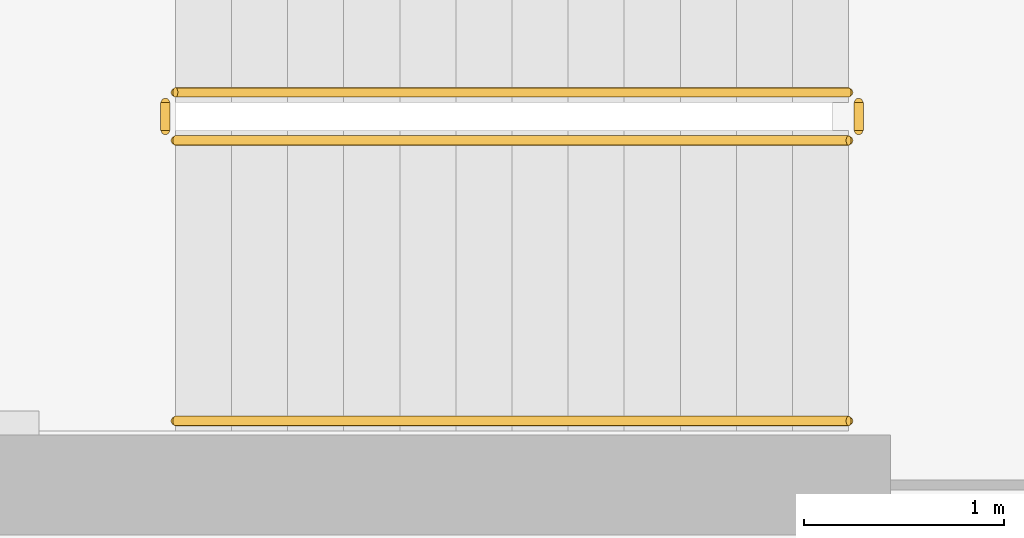
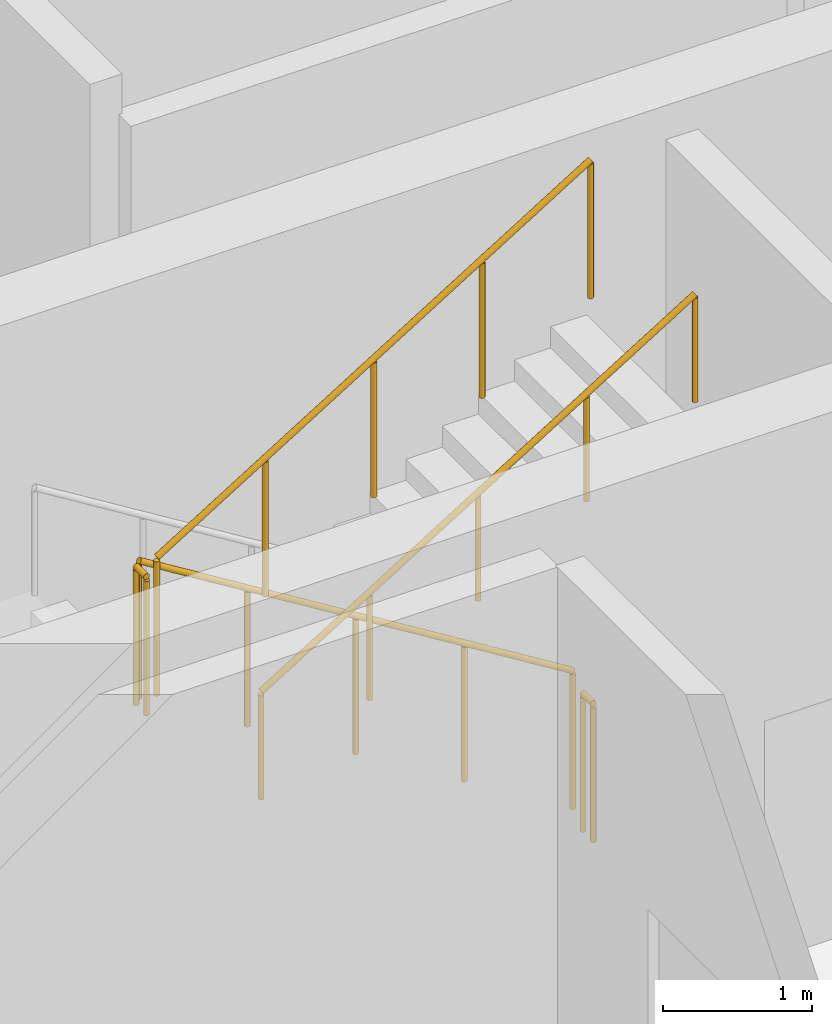
# One storey, part 15 of 18: 5 railings.
"""IFC4 building model written with IfcOpenShell, lengths in metres."""

from ifc_helpers import new_model, si_unit, derived_unit, direction, frame, origin, origin_2d, place, context, subcontext, project, spatial, circle, extrude, material, type_object, element, save


model = new_model("IFC4")

# Units and contexts
model_context = context("Model", 3, precision=1e-05, world=origin(), true_north=direction((0.0, 1.0)))
body_context = subcontext(model_context, "Body", "Model", "MODEL_VIEW")
ifc_project = project(units=[si_unit("LENGTHUNIT", "METRE"), si_unit("AREAUNIT", "SQUARE_METRE"), si_unit("VOLUMEUNIT", "CUBIC_METRE"), si_unit("PLANEANGLEUNIT", "RADIAN"), si_unit("MASSUNIT", "GRAM", prefix="KILO"), derived_unit("THERMALTRANSMITTANCEUNIT", [(si_unit("POWERUNIT", "WATT"), 1), (si_unit("LENGTHUNIT", "METRE"), -2), (si_unit("THERMODYNAMICTEMPERATUREUNIT", "KELVIN"), -1)])], contexts=[model_context])

# Site, building, storey
site_placement = place(None, origin())
site = spatial("IfcSite", under=ifc_project, at=site_placement, CompositionType="ELEMENT")
building_placement = place(site_placement, origin())
building = spatial("IfcBuilding", under=site, at=building_placement, Name="Kivonza Crest Hotel", CompositionType="ELEMENT")
storey_placement = place(building_placement, frame((0.0, 0.0, 90.5)))
storey = spatial("IfcBuildingStorey", under=building, at=storey_placement, Name="L24", CompositionType="ELEMENT", Elevation=90.5)

# Railings
ifc_material_1 = material(Name="Brushed stainless steel handrail", Category="steel")
railing_type_1 = type_object("IfcRailingType", Name="RL-HAND-900", PredefinedType="HANDRAIL", material=ifc_material_1)
railing_1_placement = place(storey_placement, frame((8.8798828125, 33.070068359375, 2.423095703125)))
element("IfcRailing", 1, at=railing_1_placement, inside=storey, type_object=railing_type_1, Name="L24 ST-T1-N stair handrail 2", PredefinedType="HANDRAIL", context=body_context, shape_type="SweptSolid", body=[
    extrude(circle(Radius=0.02392578125, at=origin_2d()), frame((0.0, 0.0, 0.8759765625), z_axis=(0.850623216509, 0.0, 0.525775754039), x_axis=(0.0, 1.0, 0.0)), (0.0, 0.0, 1.0), 3.9501953125),
    extrude(circle(Radius=0.02099609375, at=origin_2d()), origin(), (0.0, 0.0, 1.0), 0.851806640625),
    extrude(circle(Radius=0.02099609375, at=origin_2d()), frame((0.840087890625, 0.0, 0.519287109375)), (0.0, 0.0, 1.0), 0.851806640625),
    extrude(circle(Radius=0.02099609375, at=origin_2d()), frame((1.68017578125, 0.0, 1.03857421875)), (0.0, 0.0, 1.0), 0.851806640625),
    extrude(circle(Radius=0.02099609375, at=origin_2d()), frame((2.52001953125, 0.0, 1.5576171875)), (0.0, 0.0, 1.0), 0.851806640625),
    extrude(circle(Radius=0.02099609375, at=origin_2d()), frame((3.360107421875, 0.0, 2.076904296875)), (0.0, 0.0, 1.0), 0.851806640625),
])
ifc_material_2 = material(Name="Painted steel balustrade", Category="steel")
railing_type_2 = type_object("IfcRailingType", Name="RL-STAIR-1150", PredefinedType="BALUSTRADE", material=ifc_material_2)
railing_2_placement = place(storey_placement, frame((12.239990234375, 34.7099609375, 0.173095703125)))
element("IfcRailing", 2, at=railing_2_placement, inside=storey, type_object=railing_type_2, Name="L24 ST-T1-N stair guard 1", PredefinedType="BALUSTRADE", context=body_context, shape_type="SweptSolid", body=[
    extrude(circle(Radius=0.02392578125, at=origin_2d()), frame((0.0, 0.0, 1.1259765625), z_axis=(-0.850623216509, 0.0, 0.525775754039), x_axis=(0.0, -1.0, 0.0)), (0.0, 0.0, 1.0), 3.9501953125),
    extrude(circle(Radius=0.02099609375, at=origin_2d()), origin(), (0.0, 0.0, 1.0), 1.101806640625),
    extrude(circle(Radius=0.02099609375, at=origin_2d()), frame((-0.840087890625, 0.0, 0.519287109375)), (0.0, 0.0, 1.0), 1.101806640625),
    extrude(circle(Radius=0.02099609375, at=origin_2d()), frame((-1.68017578125, 0.0, 1.03857421875)), (0.0, 0.0, 1.0), 1.101806640625),
    extrude(circle(Radius=0.02099609375, at=origin_2d()), frame((-2.52001953125, 0.0, 1.5576171875)), (0.0, 0.0, 1.0), 1.101806640625),
    extrude(circle(Radius=0.02099609375, at=origin_2d()), frame((-3.360107421875, 0.0, 2.076904296875)), (0.0, 0.0, 1.0), 1.101806640625),
])
railing_3_placement = place(storey_placement, frame((8.830078125, 34.659912109375, 2.25)))
element("IfcRailing", 3, at=railing_3_placement, inside=storey, type_object=railing_type_2, Name="L24 ST-T1-N stair guard 2", PredefinedType="BALUSTRADE", context=body_context, shape_type="SweptSolid", body=[
    extrude(circle(Radius=0.02392578125, at=origin_2d()), frame((0.0, 0.0, 1.1259765625), z_axis=(0.0, -1.0, 0.0), x_axis=(1.0, 0.0, 0.0)), (0.0, 0.0, 1.0), 0.139892578125),
    extrude(circle(Radius=0.02099609375, at=origin_2d()), origin(), (0.0, 0.0, 1.0), 1.101806640625),
    extrude(circle(Radius=0.02099609375, at=origin_2d()), frame((0.0, -0.139892578125, 0.0)), (0.0, 0.0, 1.0), 1.101806640625),
])
railing_4_placement = place(storey_placement, frame((8.8798828125, 34.469970703125, 2.423095703125)))
element("IfcRailing", 4, at=railing_4_placement, inside=storey, type_object=railing_type_2, Name="L24 ST-T1-N stair guard 3", PredefinedType="BALUSTRADE", context=body_context, shape_type="SweptSolid", body=[
    extrude(circle(Radius=0.02392578125, at=origin_2d()), frame((0.0, 0.0, 1.1259765625), z_axis=(0.850623216509, 0.0, 0.525775754039), x_axis=(0.0, 1.0, 0.0)), (0.0, 0.0, 1.0), 3.9501953125),
    extrude(circle(Radius=0.02099609375, at=origin_2d()), origin(), (0.0, 0.0, 1.0), 1.101806640625),
    extrude(circle(Radius=0.02099609375, at=origin_2d()), frame((0.840087890625, 0.0, 0.519287109375)), (0.0, 0.0, 1.0), 1.101806640625),
    extrude(circle(Radius=0.02099609375, at=origin_2d()), frame((1.68017578125, 0.0, 1.03857421875)), (0.0, 0.0, 1.0), 1.101806640625),
    extrude(circle(Radius=0.02099609375, at=origin_2d()), frame((2.52001953125, 0.0, 1.5576171875)), (0.0, 0.0, 1.0), 1.101806640625),
    extrude(circle(Radius=0.02099609375, at=origin_2d()), frame((3.360107421875, 0.0, 2.076904296875)), (0.0, 0.0, 1.0), 1.101806640625),
])
railing_5_placement = place(storey_placement, frame((12.2900390625, 34.659912109375, 0.0)))
element("IfcRailing", 5, at=railing_5_placement, inside=storey, type_object=railing_type_2, Name="L24 ST-T1-N stair guard 4", PredefinedType="BALUSTRADE", context=body_context, shape_type="SweptSolid", body=[
    extrude(circle(Radius=0.02392578125, at=origin_2d()), frame((0.0, 0.0, 1.1259765625), z_axis=(0.0, -1.0, 0.0), x_axis=(1.0, 0.0, 0.0)), (0.0, 0.0, 1.0), 0.139892578125),
    extrude(circle(Radius=0.02099609375, at=origin_2d()), origin(), (0.0, 0.0, 1.0), 1.101806640625),
    extrude(circle(Radius=0.02099609375, at=origin_2d()), frame((0.0, -0.139892578125, 0.0)), (0.0, 0.0, 1.0), 1.101806640625),
])

save(model, "model.ifc")
